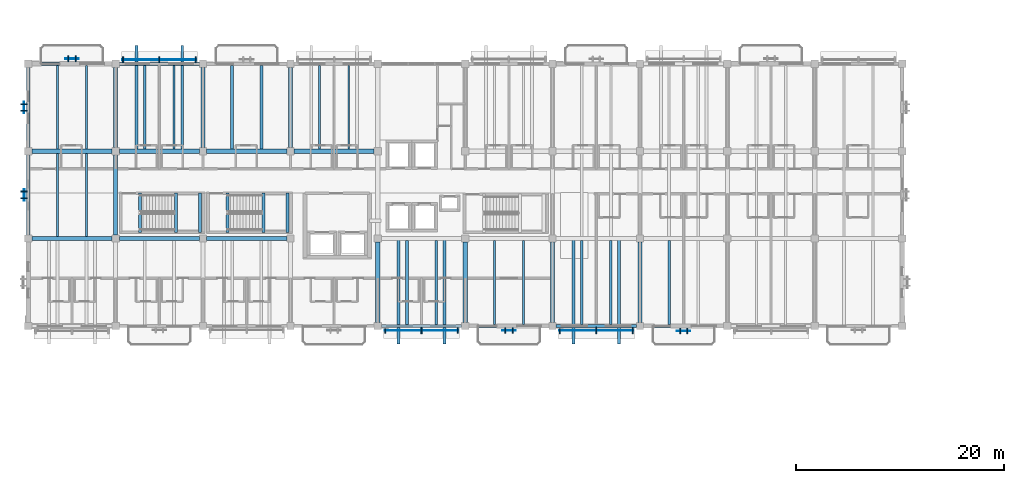
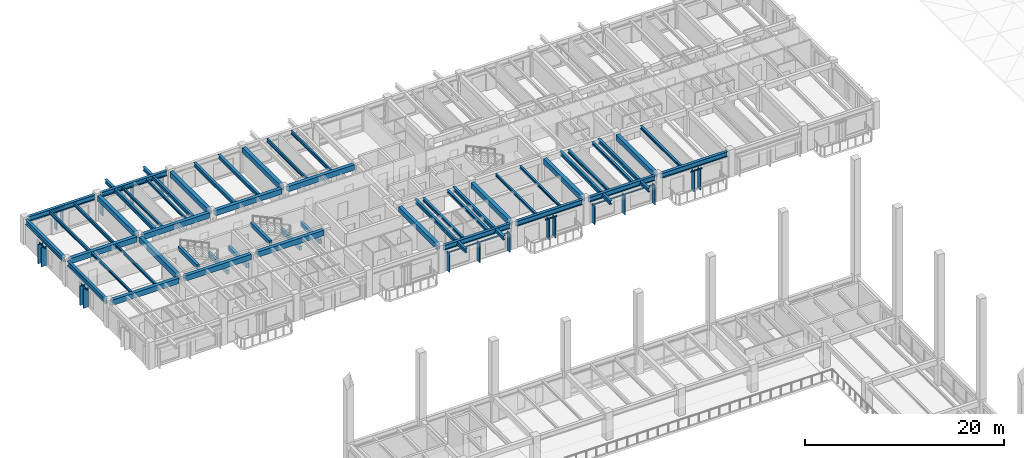
# One storey, part 12 of 64: 52 beams, 27 members, 8 elements without a shape of their own.
"""IFC4 building model written with IfcOpenShell, lengths in metres."""

from ifc_helpers import new_model, si_unit, direction, frame, origin, origin_2d, place, context, subcontext, project, spatial, rectangle, i_section, extrude, material, material_profile, profile_set, type_object, element, aggregate, save


model = new_model("IFC4")

# Units and contexts
model_context = context("Model", 3, precision=1e-05, world=origin(), true_north=direction((0.0, 1.0)))
body_context = subcontext(model_context, "Body", "Model", "MODEL_VIEW")
ifc_project = project(units=[si_unit("LENGTHUNIT", "METRE"), si_unit("AREAUNIT", "SQUARE_METRE"), si_unit("VOLUMEUNIT", "CUBIC_METRE"), si_unit("PLANEANGLEUNIT", "RADIAN"), si_unit("MASSUNIT", "GRAM", prefix="KILO")], contexts=[model_context])

# Site, building, storey
site_placement = place(None, origin())
site = spatial("IfcSite", under=ifc_project, at=site_placement, CompositionType="ELEMENT")
building_placement = place(site_placement, origin())
building = spatial("IfcBuilding", under=site, at=building_placement, Name="Cumbredor Promenade Congress Hotel", CompositionType="ELEMENT")
storey_placement = place(building_placement, frame((0.0, 0.0, 18.47998046875)))
storey = spatial("IfcBuildingStorey", under=building, at=storey_placement, Name="L05", CompositionType="ELEMENT", Elevation=18.47998046875)

# Beams
ifc_material_1 = material(Name="Concrete C40/50", Category="concrete")
ifc_material_profile_1 = material_profile(ifc_material_1, rectangle(XDim=0.39990234375, YDim=0.64990234375, at=origin_2d()), Name="RC BEAM 400x650")
ifc_profile_set_1 = profile_set([ifc_material_profile_1], Name="Concrete C40/50")
beam_type_1 = type_object("IfcBeamType", Name="BM-RC-400x650", PredefinedType="BEAM", material=ifc_profile_set_1)
for number, where, z_axis, x_axis, name in (
    (1, (0.35009765625, 100.800048828125, 2.794921875), (1.0, 0.0, 0.0), (0.0, 1.0, 0.0), "L06 X-Grid Beam 003"),
    (2, (0.35009765625, 109.199951171875, 2.794921875), (1.0, 0.0, 0.0), (0.0, 1.0, 0.0), "L06 X-Grid Beam 005"),
    (3, (8.75, 100.800048828125, 2.794921875), (1.0, 0.0, 0.0), (0.0, 1.0, 0.0), "L06 X-Grid Beam 025"),
):
    element("IfcBeam", number, at=place(storey_placement, frame(where, z_axis=z_axis, x_axis=x_axis)), inside=storey, type_object=beam_type_1, Name=name, PredefinedType="BEAM", context=body_context, shape_type="SweptSolid", body=[
        extrude(rectangle(XDim=0.39990234375, YDim=0.64990234375, at=origin_2d()), origin(), (0.0, 0.0, 1.0), 7.699951171875),
    ])
beam_1_placement = place(storey_placement, frame((8.39990234375, 101.14990234375, 2.794921875), z_axis=(0.0, 1.0, 0.0), x_axis=(-1.0, 0.0, 0.0)))
element("IfcBeam", 4, at=beam_1_placement, inside=storey, type_object=beam_type_1, Name="L06 Y-Grid Beam 026", PredefinedType="BEAM", context=body_context, shape_type="SweptSolid", body=[
    extrude(rectangle(XDim=0.39990234375, YDim=0.64990234375, at=origin_2d()), origin(), (0.0, 0.0, 1.0), 7.7001953125),
])
for number, where, z_axis, x_axis, name in (
    (5, (8.75, 109.199951171875, 2.794921875), (1.0, 0.0, 0.0), (0.0, 1.0, 0.0), "L06 X-Grid Beam 027"),
    (6, (8.39990234375, 109.550048828125, 2.794921875), (0.0, 1.0, 0.0), (-1.0, 0.0, 0.0), "L06 Y-Grid Beam 028"),
):
    element("IfcBeam", number, at=place(storey_placement, frame(where, z_axis=z_axis, x_axis=x_axis)), inside=storey, type_object=beam_type_1, Name=name, PredefinedType="BEAM", context=body_context, shape_type="SweptSolid", body=[
        extrude(rectangle(XDim=0.39990234375, YDim=0.64990234375, at=origin_2d()), origin(), (0.0, 0.0, 1.0), 7.699951171875),
    ])
for number, where, z_axis, x_axis, name in (
    (7, (17.14990234375, 100.800048828125, 2.794921875), (1.0, 0.0, 0.0), (0.0, 1.0, 0.0), "L06 X-Grid Beam 043"),
    (8, (17.14990234375, 109.199951171875, 2.794921875), (1.0, 0.0, 0.0), (0.0, 1.0, 0.0), "L06 X-Grid Beam 044"),
):
    element("IfcBeam", number, at=place(storey_placement, frame(where, z_axis=z_axis, x_axis=x_axis)), inside=storey, type_object=beam_type_1, Name=name, PredefinedType="BEAM", context=body_context, shape_type="SweptSolid", body=[
        extrude(rectangle(XDim=0.39990234375, YDim=0.64990234375, at=origin_2d()), origin(), (0.0, 0.0, 1.0), 7.7001953125),
    ])
for number, where, z_axis, x_axis, name in (
    (9, (16.800048828125, 109.550048828125, 2.794921875), (0.0, 1.0, 0.0), (-1.0, 0.0, 0.0), "L06 Y-Grid Beam 045"),
    (10, (25.550048828125, 109.199951171875, 2.794921875), (1.0, 0.0, 0.0), (0.0, 1.0, 0.0), "L06 X-Grid Beam 054"),
    (11, (25.199951171875, 109.550048828125, 2.794921875), (0.0, 1.0, 0.0), (-1.0, 0.0, 0.0), "L06 Y-Grid Beam 055"),
    (12, (33.60009765625, 92.75, 2.794921875), (0.0, 1.0, 0.0), (-1.0, 0.0, 0.0), "L06 Y-Grid Beam 063"),
    (13, (42.0, 92.75, 2.794921875), (0.0, 1.0, 0.0), (-1.0, 0.0, 0.0), "L06 Y-Grid Beam 074"),
    (14, (50.39990234375, 92.75, 2.794921875), (0.0, 1.0, 0.0), (-1.0, 0.0, 0.0), "L06 Y-Grid Beam 085"),
    (15, (58.800048828125, 92.75, 2.794921875), (0.0, 1.0, 0.0), (-1.0, 0.0, 0.0), "L06 Y-Grid Beam 107"),
):
    element("IfcBeam", number, at=place(storey_placement, frame(where, z_axis=z_axis, x_axis=x_axis)), inside=storey, type_object=beam_type_1, Name=name, PredefinedType="BEAM", context=body_context, shape_type="SweptSolid", body=[
        extrude(rectangle(XDim=0.39990234375, YDim=0.64990234375, at=origin_2d()), origin(), (0.0, 0.0, 1.0), 7.699951171875),
    ])
ifc_material_2 = material(Name="Steel ASTM A992 Grade 50", Category="steel")
ifc_material_profile_2 = material_profile(ifc_material_2, i_section(OverallWidth=0.323974609375, OverallDepth=0.611083984375, WebThickness=0.0126953125, FlangeThickness=0.01904296875, at=origin_2d()), Name="W24X104")
ifc_profile_set_2 = profile_set([ifc_material_profile_2], Name="Steel ASTM A992 Grade 50")
beam_type_2 = type_object("IfcBeamType", Name="BM-W24X104", PredefinedType="BEAM", material=ifc_profile_set_2)
for number, where, z_axis, x_axis, name in (
    (16, (0.35009765625, 117.60009765625, 2.814453125), (1.0, 0.0, 0.0), (0.0, 1.0, 0.0), "L06 X-Grid Beam 007"),
    (17, (8.75, 117.60009765625, 2.814453125), (1.0, 0.0, 0.0), (0.0, 1.0, 0.0), "L06 X-Grid Beam 029"),
    (18, (33.949951171875, 92.39990234375, 2.814453125), (1.0, 0.0, 0.0), (0.0, 1.0, 0.0), "L06 X-Grid Beam 062"),
    (19, (42.35009765625, 92.39990234375, 2.814453125), (1.0, 0.0, 0.0), (0.0, 1.0, 0.0), "L06 X-Grid Beam 073"),
    (20, (50.75, 92.39990234375, 2.814453125), (1.0, 0.0, 0.0), (0.0, 1.0, 0.0), "L06 X-Grid Beam 084"),
):
    element("IfcBeam", number, at=place(storey_placement, frame(where, z_axis=z_axis, x_axis=x_axis)), inside=storey, type_object=beam_type_2, Name=name, PredefinedType="BEAM", context=body_context, shape_type="SweptSolid", body=[
        extrude(i_section(OverallWidth=0.323974609375, OverallDepth=0.611083984375, WebThickness=0.0126953125, FlangeThickness=0.01904296875, at=origin_2d()), origin(), (0.0, 0.0, 1.0), 7.699951171875),
    ])
beam_2_placement = place(storey_placement, frame((59.14990234375, 92.39990234375, 2.814453125), z_axis=(1.0, 0.0, 0.0), x_axis=(0.0, 1.0, 0.0)))
element("IfcBeam", 21, at=beam_2_placement, inside=storey, type_object=beam_type_2, Name="L06 X-Grid Beam 106", PredefinedType="BEAM", context=body_context, shape_type="SweptSolid", body=[
    extrude(i_section(OverallWidth=0.323974609375, OverallDepth=0.611083984375, WebThickness=0.0126953125, FlangeThickness=0.01904296875, at=origin_2d()), origin(), (0.0, 0.0, 1.0), 7.7001953125),
])

# Curtain wall, member
ifc_material_3 = material(Name="Thermally broken anodized aluminium and low-E glass", Category="aluminium")
curtain_wall_type = type_object("IfcCurtainWallType", Name="Solar Brise-Soleil Screen Assembly CW-07", PredefinedType="NOTDEFINED", material=ifc_material_3)
curtain_wall_1_placement = place(storey_placement, origin())
curtain_wall_1 = element("IfcCurtainWall", 22, at=curtain_wall_1_placement, inside=storey, type_object=curtain_wall_type, Name="L05 Hospitality Brise-Soleil Screen 080", PredefinedType="NOTDEFINED")
ifc_material_4 = material(Name="Thermally broken anodized aluminium", Category="aluminium")
ifc_material_profile_3 = material_profile(ifc_material_4, rectangle(XDim=0.06494140625, YDim=0.1298828125, at=origin_2d()), Name="ALU TRANSOM 65x130")
ifc_profile_set_3 = profile_set([ifc_material_profile_3], Name="Thermally broken anodized aluminium")
member_type_1 = type_object("IfcMemberType", Name="Curtain Wall Transom TR-01", PredefinedType="USERDEFINED", material=ifc_profile_set_3)
member_1_placement = place(storey_placement, frame((34.2509765625, 91.9775390625, 2.31396484375), z_axis=(1.0, 0.0, 0.0), x_axis=(0.0, 1.0, 0.0)))
member_1 = element("IfcMember", 23, at=member_1_placement, type_object=member_type_1, Name="L05 Brise-Soleil Screen Transom 080", ObjectType="TRANSOM", PredefinedType="USERDEFINED", context=body_context, shape_type="SweptSolid", body=[
    extrude(rectangle(XDim=0.06494140625, YDim=0.1298828125, at=origin_2d()), origin(), (0.0, 0.0, 1.0), 7.09814453125),
])

curtain_wall_2_placement = place(storey_placement, origin())
curtain_wall_2 = element("IfcCurtainWall", 24, at=curtain_wall_2_placement, inside=storey, type_object=curtain_wall_type, Name="L05 Veranda Solar Brise-Soleil Screen 862", PredefinedType="NOTDEFINED")
member_2_placement = place(storey_placement, frame((45.550048828125, 91.965087890625, 2.4140625), z_axis=(1.0, 0.0, 0.0), x_axis=(0.0, 1.0, 0.0)))
member_2 = element("IfcMember", 25, at=member_2_placement, type_object=member_type_1, Name="L05 Brise-Soleil Header Tie 0864", ObjectType="TRANSOM", PredefinedType="USERDEFINED", context=body_context, shape_type="SweptSolid", body=[
    extrude(rectangle(XDim=0.06494140625, YDim=0.1298828125, at=origin_2d()), origin(), (0.0, 0.0, 1.0), 1.300048828125),
])

curtain_wall_3_placement = place(storey_placement, origin())
curtain_wall_3 = element("IfcCurtainWall", 26, at=curtain_wall_3_placement, inside=storey, type_object=curtain_wall_type, Name="L05 Hospitality Brise-Soleil Screen 081", PredefinedType="NOTDEFINED")
member_3_placement = place(storey_placement, frame((51.051025390625, 91.949951171875, 2.31396484375), z_axis=(1.0, 0.0, 0.0), x_axis=(0.0, 1.0, 0.0)))
member_3 = element("IfcMember", 27, at=member_3_placement, type_object=member_type_1, Name="L05 Brise-Soleil Screen Transom 081", ObjectType="TRANSOM", PredefinedType="USERDEFINED", context=body_context, shape_type="SweptSolid", body=[
    extrude(rectangle(XDim=0.06494140625, YDim=0.1298828125, at=origin_2d()), origin(), (0.0, 0.0, 1.0), 7.097900390625),
])

curtain_wall_4_placement = place(storey_placement, origin())
curtain_wall_4 = element("IfcCurtainWall", 28, at=curtain_wall_4_placement, inside=storey, type_object=curtain_wall_type, Name="L05 Veranda Solar Brise-Soleil Screen 868", PredefinedType="NOTDEFINED")
member_4_placement = place(storey_placement, frame((62.35009765625, 91.927490234375, 2.4140625), z_axis=(1.0, 0.0, 0.0), x_axis=(0.0, 1.0, 0.0)))
member_4 = element("IfcMember", 29, at=member_4_placement, type_object=member_type_1, Name="L05 Brise-Soleil Header Tie 0870", ObjectType="TRANSOM", PredefinedType="USERDEFINED", context=body_context, shape_type="SweptSolid", body=[
    extrude(rectangle(XDim=0.06494140625, YDim=0.1298828125, at=origin_2d()), origin(), (0.0, 0.0, 1.0), 1.2998046875),
])

curtain_wall_5_placement = place(storey_placement, origin())
curtain_wall_5 = element("IfcCurtainWall", 30, at=curtain_wall_5_placement, inside=storey, type_object=curtain_wall_type, Name="L05 Veranda Solar Brise-Soleil Screen 877", PredefinedType="NOTDEFINED")
member_5_placement = place(storey_placement, frame((3.550048828125, 118.0849609375, 2.4140625), z_axis=(1.0, 0.0, 0.0), x_axis=(0.0, 1.0, 0.0)))
member_5 = element("IfcMember", 31, at=member_5_placement, type_object=member_type_1, Name="L05 Brise-Soleil Header Tie 0879", ObjectType="TRANSOM", PredefinedType="USERDEFINED", context=body_context, shape_type="SweptSolid", body=[
    extrude(rectangle(XDim=0.06494140625, YDim=0.1298828125, at=origin_2d()), origin(), (0.0, 0.0, 1.0), 1.300048828125),
])

curtain_wall_6_placement = place(storey_placement, origin())
curtain_wall_6 = element("IfcCurtainWall", 32, at=curtain_wall_6_placement, inside=storey, type_object=curtain_wall_type, Name="L05 Hospitality Brise-Soleil Screen 083", PredefinedType="NOTDEFINED")
member_6_placement = place(storey_placement, frame((9.051025390625, 117.989990234375, 2.31396484375), z_axis=(1.0, 0.0, 0.0), x_axis=(0.0, 1.0, 0.0)))
member_6 = element("IfcMember", 33, at=member_6_placement, type_object=member_type_1, Name="L05 Brise-Soleil Screen Transom 083", ObjectType="TRANSOM", PredefinedType="USERDEFINED", context=body_context, shape_type="SweptSolid", body=[
    extrude(rectangle(XDim=0.06494140625, YDim=0.1298828125, at=origin_2d()), origin(), (0.0, 0.0, 1.0), 7.097900390625),
])

curtain_wall_7_placement = place(storey_placement, origin())
curtain_wall_7 = element("IfcCurtainWall", 34, at=curtain_wall_7_placement, inside=storey, type_object=curtain_wall_type, Name="L05 Pier Brise-Soleil Screen 0907", PredefinedType="NOTDEFINED")
member_7_placement = place(storey_placement, frame((-0.389892578125, 104.449951171875, 2.333984375), z_axis=(0.0, 1.0, 0.0), x_axis=(-1.0, 0.0, 0.0)))
member_7 = element("IfcMember", 35, at=member_7_placement, type_object=member_type_1, Name="L05 Pier Brise-Soleil Header 0909", ObjectType="TRANSOM", PredefinedType="USERDEFINED", context=body_context, shape_type="SweptSolid", body=[
    extrude(rectangle(XDim=0.06494140625, YDim=0.1298828125, at=origin_2d()), origin(), (0.0, 0.0, 1.0), 1.10009765625),
])

curtain_wall_8_placement = place(storey_placement, origin())
curtain_wall_8 = element("IfcCurtainWall", 36, at=curtain_wall_8_placement, inside=storey, type_object=curtain_wall_type, Name="L05 Pier Brise-Soleil Screen 0910", PredefinedType="NOTDEFINED")
member_8_placement = place(storey_placement, frame((-0.39990234375, 112.85009765625, 2.333984375), z_axis=(0.0, 1.0, 0.0), x_axis=(-1.0, 0.0, 0.0)))
member_8 = element("IfcMember", 37, at=member_8_placement, type_object=member_type_1, Name="L05 Pier Brise-Soleil Header 0912", ObjectType="TRANSOM", PredefinedType="USERDEFINED", context=body_context, shape_type="SweptSolid", body=[
    extrude(rectangle(XDim=0.06494140625, YDim=0.1298828125, at=origin_2d()), origin(), (0.0, 0.0, 1.0), 1.099853515625),
])

# Beams
ifc_material_profile_4 = material_profile(ifc_material_2, i_section(OverallWidth=0.202880859375, OverallDepth=0.302978515625, WebThickness=0.007568359375, FlangeThickness=0.01318359375, at=origin_2d()), Name="W12X40")
ifc_profile_set_4 = profile_set([ifc_material_profile_4], Name="Steel ASTM A992 Grade 50")
beam_type_3 = type_object("IfcBeamType", Name="JST-W12X40", PredefinedType="JOIST", material=ifc_profile_set_4)
for number, where, z_axis, x_axis, name in (
    (38, (2.800048828125, 101.0, 2.968505859375), (0.0, 1.0, 0.0), (-1.0, 0.0, 0.0), "L06 Secondary Floor Joist 0003"),
    (39, (5.60009765625, 101.0, 2.968505859375), (0.0, 1.0, 0.0), (-1.0, 0.0, 0.0), "L06 Secondary Floor Joist 0004"),
):
    element("IfcBeam", number, at=place(storey_placement, frame(where, z_axis=z_axis, x_axis=x_axis)), inside=storey, type_object=beam_type_3, Name=name, PredefinedType="JOIST", context=body_context, shape_type="SweptSolid", body=[
        extrude(i_section(OverallWidth=0.202880859375, OverallDepth=0.302978515625, WebThickness=0.007568359375, FlangeThickness=0.01318359375, at=origin_2d()), origin(), (0.0, 0.0, 1.0), 8.0),
    ])
for number, where, z_axis, x_axis, name in (
    (40, (11.199951171875, 109.39990234375, 2.968505859375), (0.0, 1.0, 0.0), (-1.0, 0.0, 0.0), "L06 Secondary Floor Joist 0023"),
    (41, (14.0, 109.39990234375, 2.968505859375), (0.0, 1.0, 0.0), (-1.0, 0.0, 0.0), "L06 Secondary Floor Joist 0024"),
    (42, (44.800048828125, 92.56201171875, 2.968505859375), (0.0, 1.0, 0.0), (-1.0, 0.0, 0.0), "L06 Secondary Floor Joist 0043"),
    (43, (47.60009765625, 92.56201171875, 2.968505859375), (0.0, 1.0, 0.0), (-1.0, 0.0, 0.0), "L06 Secondary Floor Joist 0044"),
):
    element("IfcBeam", number, at=place(storey_placement, frame(where, z_axis=z_axis, x_axis=x_axis)), inside=storey, type_object=beam_type_3, Name=name, PredefinedType="JOIST", context=body_context, shape_type="SweptSolid", body=[
        extrude(i_section(OverallWidth=0.202880859375, OverallDepth=0.302978515625, WebThickness=0.007568359375, FlangeThickness=0.01318359375, at=origin_2d()), origin(), (0.0, 0.0, 1.0), 8.0380859375),
    ])
ifc_material_profile_5 = material_profile(ifc_material_2, i_section(OverallWidth=0.2548828125, OverallDepth=0.35693359375, WebThickness=0.010498046875, FlangeThickness=0.018310546875, at=origin_2d()), Name="W14X68")
ifc_profile_set_5 = profile_set([ifc_material_profile_5], Name="Steel ASTM A992 Grade 50")
beam_type_4 = type_object("IfcBeamType", Name="JST-W14X68", PredefinedType="JOIST", material=ifc_profile_set_5)
for number, where, z_axis, x_axis, name in (
    (44, (36.39990234375, 92.56201171875, 2.94140625), (0.0, 1.0, 0.0), (-1.0, 0.0, 0.0), "L06 Secondary Floor Joist 0039"),
    (45, (39.199951171875, 92.56201171875, 2.94140625), (0.0, 1.0, 0.0), (-1.0, 0.0, 0.0), "L06 Secondary Floor Joist 0040"),
    (46, (53.199951171875, 92.56201171875, 2.94140625), (0.0, 1.0, 0.0), (-1.0, 0.0, 0.0), "L06 Secondary Floor Joist 0049"),
    (47, (56.0, 92.56201171875, 2.94140625), (0.0, 1.0, 0.0), (-1.0, 0.0, 0.0), "L06 Secondary Floor Joist 0050"),
    (48, (61.60009765625, 92.56201171875, 2.94140625), (0.0, 1.0, 0.0), (-1.0, 0.0, 0.0), "L06 Secondary Floor Joist 0069"),
):
    element("IfcBeam", number, at=place(storey_placement, frame(where, z_axis=z_axis, x_axis=x_axis)), inside=storey, type_object=beam_type_4, Name=name, PredefinedType="JOIST", context=body_context, shape_type="SweptSolid", body=[
        extrude(i_section(OverallWidth=0.2548828125, OverallDepth=0.35693359375, WebThickness=0.010498046875, FlangeThickness=0.018310546875, at=origin_2d()), origin(), (0.0, 0.0, 1.0), 8.0380859375),
    ])
ifc_material_profile_6 = material_profile(ifc_material_2, i_section(OverallWidth=0.180908203125, OverallDepth=0.4169921875, WebThickness=0.010986328125, FlangeThickness=0.018310546875, at=origin_2d()), Name="W16X57")
ifc_profile_set_6 = profile_set([ifc_material_profile_6], Name="Steel ASTM A992 Grade 50")
beam_type_5 = type_object("IfcBeamType", Name="JST-W16X57", PredefinedType="JOIST", material=ifc_profile_set_6)
for number, where, z_axis, x_axis, name in (
    (49, (2.800048828125, 109.39990234375, 2.91162109375), (0.0, 1.0, 0.0), (-1.0, 0.0, 0.0), "L06 Secondary Floor Joist 0005"),
    (50, (5.60009765625, 109.39990234375, 2.91162109375), (0.0, 1.0, 0.0), (-1.0, 0.0, 0.0), "L06 Secondary Floor Joist 0006"),
    (51, (28.0, 109.39990234375, 2.91162109375), (0.0, 1.0, 0.0), (-1.0, 0.0, 0.0), "L06 Secondary Floor Joist 0035"),
    (52, (30.800048828125, 109.39990234375, 2.91162109375), (0.0, 1.0, 0.0), (-1.0, 0.0, 0.0), "L06 Secondary Floor Joist 0036"),
):
    element("IfcBeam", number, at=place(storey_placement, frame(where, z_axis=z_axis, x_axis=x_axis)), inside=storey, type_object=beam_type_5, Name=name, PredefinedType="JOIST", context=body_context, shape_type="SweptSolid", body=[
        extrude(i_section(OverallWidth=0.180908203125, OverallDepth=0.4169921875, WebThickness=0.010986328125, FlangeThickness=0.018310546875, at=origin_2d()), origin(), (0.0, 0.0, 1.0), 8.0380859375),
    ])
ifc_material_profile_7 = material_profile(ifc_material_2, i_section(OverallWidth=0.280029296875, OverallDepth=0.462890625, WebThickness=0.0107421875, FlangeThickness=0.017333984375, at=origin_2d()), Name="W18X76")
ifc_profile_set_7 = profile_set([ifc_material_profile_7], Name="Steel ASTM A992 Grade 50")
beam_type_6 = type_object("IfcBeamType", Name="JST-W18X76", PredefinedType="JOIST", material=ifc_profile_set_7)
for number, where, z_axis, x_axis, name in (
    (53, (10.39990234375, 109.199951171875, 2.888427734375), (0.0, 1.0, 0.0), (-1.0, 0.0, 0.0), "L06 Balcony Back-Spanned Outrigger Beam 034.1"),
    (54, (14.800048828125, 109.199951171875, 2.888427734375), (0.0, 1.0, 0.0), (-1.0, 0.0, 0.0), "L06 Balcony Back-Spanned Outrigger Beam 034.2"),
    (55, (35.60009765625, 90.64990234375, 2.888427734375), (0.0, 1.0, 0.0), (-1.0, 0.0, 0.0), "L06 Balcony Back-Spanned Outrigger Beam 040.1"),
    (56, (40.0, 90.64990234375, 2.888427734375), (0.0, 1.0, 0.0), (-1.0, 0.0, 0.0), "L06 Balcony Back-Spanned Outrigger Beam 040.2"),
    (57, (52.39990234375, 90.64990234375, 2.888427734375), (0.0, 1.0, 0.0), (-1.0, 0.0, 0.0), "L06 Balcony Back-Spanned Outrigger Beam 041.1"),
    (58, (56.800048828125, 90.64990234375, 2.888427734375), (0.0, 1.0, 0.0), (-1.0, 0.0, 0.0), "L06 Balcony Back-Spanned Outrigger Beam 041.2"),
):
    element("IfcBeam", number, at=place(storey_placement, frame(where, z_axis=z_axis, x_axis=x_axis)), inside=storey, type_object=beam_type_6, Name=name, PredefinedType="JOIST", context=body_context, shape_type="SweptSolid", body=[
        extrude(i_section(OverallWidth=0.280029296875, OverallDepth=0.462890625, WebThickness=0.0107421875, FlangeThickness=0.017333984375, at=origin_2d()), origin(), (0.0, 0.0, 1.0), 10.150146484375),
    ])
for number, where, z_axis, x_axis, name in (
    (59, (19.60009765625, 109.39990234375, 2.888427734375), (0.0, 1.0, 0.0), (-1.0, 0.0, 0.0), "L06 Secondary Floor Joist 0031"),
    (60, (22.39990234375, 109.39990234375, 2.888427734375), (0.0, 1.0, 0.0), (-1.0, 0.0, 0.0), "L06 Secondary Floor Joist 0032"),
):
    element("IfcBeam", number, at=place(storey_placement, frame(where, z_axis=z_axis, x_axis=x_axis)), inside=storey, type_object=beam_type_6, Name=name, PredefinedType="JOIST", context=body_context, shape_type="SweptSolid", body=[
        extrude(i_section(OverallWidth=0.280029296875, OverallDepth=0.462890625, WebThickness=0.0107421875, FlangeThickness=0.017333984375, at=origin_2d()), origin(), (0.0, 0.0, 1.0), 8.0380859375),
    ])
ifc_material_profile_8 = material_profile(ifc_material_1, rectangle(XDim=0.300048828125, YDim=0.5, at=origin_2d()), Name="RC LINTEL 300x500")
ifc_profile_set_8 = profile_set([ifc_material_profile_8], Name="Concrete C40/50")
beam_type_7 = type_object("IfcBeamType", Name="LN-RC-300x500", PredefinedType="LINTEL", material=ifc_profile_set_8)
for number, where, z_axis, x_axis, name in (
    (61, (16.5, 101.3701171875, 1.22998046875), (0.0, 1.0, 0.0), (-1.0, 0.0, 0.0), "L05 Stair ST-01 Landing Ledger Beam E"),
    (62, (14.199951171875, 101.3701171875, 1.22998046875), (0.0, 1.0, 0.0), (-1.0, 0.0, 0.0), "L05 Stair ST-01 Landing Ledger Beam W"),
    (63, (10.75, 101.3701171875, 3.110107421875), (0.0, 1.0, 0.0), (-1.0, 0.0, 0.0), "L06 Stair ST-01 Well Header Trimmer Beam"),
    (64, (24.89990234375, 101.3701171875, 1.22998046875), (0.0, 1.0, 0.0), (-1.0, 0.0, 0.0), "L05 Stair ST-02 Landing Ledger Beam E"),
    (65, (22.60009765625, 101.3701171875, 1.22998046875), (0.0, 1.0, 0.0), (-1.0, 0.0, 0.0), "L05 Stair ST-02 Landing Ledger Beam W"),
    (66, (19.14990234375, 101.3701171875, 3.110107421875), (0.0, 1.0, 0.0), (-1.0, 0.0, 0.0), "L06 Stair ST-02 Well Header Trimmer Beam"),
):
    element("IfcBeam", number, at=place(storey_placement, frame(where, z_axis=z_axis, x_axis=x_axis)), inside=storey, type_object=beam_type_7, Name=name, PredefinedType="LINTEL", context=body_context, shape_type="SweptSolid", body=[
        extrude(rectangle(XDim=0.300048828125, YDim=0.5, at=origin_2d()), origin(), (0.0, 0.0, 1.0), 3.829833984375),
    ])
ifc_material_profile_9 = material_profile(ifc_material_2, i_section(OverallWidth=0.323974609375, OverallDepth=0.611083984375, WebThickness=0.0126953125, FlangeThickness=0.01904296875, at=origin_2d()), Name="W24X104")
ifc_profile_set_9 = profile_set([ifc_material_profile_9], Name="Steel ASTM A992 Grade 50")
beam_type_8 = type_object("IfcBeamType", Name="SP-W24X104", PredefinedType="SPANDREL", material=ifc_profile_set_9)
beam_3_placement = place(storey_placement, frame((0.0, 101.14990234375, 2.814453125), z_axis=(0.0, 1.0, 0.0), x_axis=(-1.0, 0.0, 0.0)))
element("IfcBeam", 67, at=beam_3_placement, inside=storey, type_object=beam_type_8, Name="L06 Y-Grid Beam 004", PredefinedType="SPANDREL", context=body_context, shape_type="SweptSolid", body=[
    extrude(i_section(OverallWidth=0.323974609375, OverallDepth=0.611083984375, WebThickness=0.0126953125, FlangeThickness=0.01904296875, at=origin_2d()), origin(), (0.0, 0.0, 1.0), 7.7001953125),
])
beam_4_placement = place(storey_placement, frame((0.0, 109.550048828125, 2.814453125), z_axis=(0.0, 1.0, 0.0), x_axis=(-1.0, 0.0, 0.0)))
element("IfcBeam", 68, at=beam_4_placement, inside=storey, type_object=beam_type_8, Name="L06 Y-Grid Beam 006", PredefinedType="SPANDREL", context=body_context, shape_type="SweptSolid", body=[
    extrude(i_section(OverallWidth=0.323974609375, OverallDepth=0.611083984375, WebThickness=0.0126953125, FlangeThickness=0.01904296875, at=origin_2d()), origin(), (0.0, 0.0, 1.0), 7.699951171875),
])

# Member
ifc_material_profile_10 = material_profile(ifc_material_4, rectangle(XDim=0.110107421875, YDim=0.6201171875, at=origin_2d()), Name="ARCH FIN 110x620")
ifc_profile_set_10 = profile_set([ifc_material_profile_10], Name="Thermally broken anodized aluminium")
member_type_2 = type_object("IfcMemberType", Name="Vertical Bronze Brise-Soleil Fin BSF-02 110x620", PredefinedType="USERDEFINED", material=ifc_profile_set_10)
member_9_placement = place(storey_placement, frame((37.800048828125, 91.9775390625, 0.02001953125), z_axis=(0.0, 0.0, 1.0), x_axis=(1.0, 0.0, 0.0)))
member_9 = element("IfcMember", 69, at=member_9_placement, type_object=member_type_2, Name="L05 Vertical Brise-Soleil Fin 0860", ObjectType="SOLAR FIN", PredefinedType="USERDEFINED", context=body_context, shape_type="SweptSolid", body=[
    extrude(rectangle(XDim=0.110107421875, YDim=0.6201171875, at=origin_2d()), origin(), (0.0, 0.0, 1.0), 2.35400390625),
])

member_10_placement = place(storey_placement, frame((54.60009765625, 91.949951171875, 0.02001953125), z_axis=(0.0, 0.0, 1.0), x_axis=(1.0, 0.0, 0.0)))
member_10 = element("IfcMember", 70, at=member_10_placement, type_object=member_type_2, Name="L05 Vertical Brise-Soleil Fin 0866", ObjectType="SOLAR FIN", PredefinedType="USERDEFINED", context=body_context, shape_type="SweptSolid", body=[
    extrude(rectangle(XDim=0.110107421875, YDim=0.6201171875, at=origin_2d()), origin(), (0.0, 0.0, 1.0), 2.35400390625),
])

member_11_placement = place(storey_placement, frame((9.10107421875, 117.989990234375, 0.02001953125), z_axis=(0.0, 0.0, 1.0), x_axis=(1.0, 0.0, 0.0)))
member_11 = element("IfcMember", 71, at=member_11_placement, type_object=member_type_2, Name="L05 Vertical Brise-Soleil Fin 0880", ObjectType="SOLAR FIN", PredefinedType="USERDEFINED", context=body_context, shape_type="SweptSolid", body=[
    extrude(rectangle(XDim=0.110107421875, YDim=0.6201171875, at=origin_2d()), origin(), (0.0, 0.0, 1.0), 2.35400390625),
])

member_12_placement = place(storey_placement, frame((16.09912109375, 117.989990234375, 0.02001953125), z_axis=(0.0, 0.0, 1.0), x_axis=(1.0, 0.0, 0.0)))
member_12 = element("IfcMember", 72, at=member_12_placement, type_object=member_type_2, Name="L05 Vertical Brise-Soleil Fin 0882", ObjectType="SOLAR FIN", PredefinedType="USERDEFINED", context=body_context, shape_type="SweptSolid", body=[
    extrude(rectangle(XDim=0.110107421875, YDim=0.6201171875, at=origin_2d()), origin(), (0.0, 0.0, 1.0), 2.35400390625),
])

member_13_placement = place(storey_placement, frame((-0.389892578125, 104.679931640625, 0.02001953125), z_axis=(0.0, 0.0, 1.0), x_axis=(0.0, 1.0, 0.0)))
member_13 = element("IfcMember", 73, at=member_13_placement, type_object=member_type_2, Name="L05 Pier Brise-Soleil Fin 0908", ObjectType="SOLAR FIN", PredefinedType="USERDEFINED", context=body_context, shape_type="SweptSolid", body=[
    extrude(rectangle(XDim=0.110107421875, YDim=0.6201171875, at=origin_2d()), origin(), (0.0, 0.0, 1.0), 2.35400390625),
])

member_14_placement = place(storey_placement, frame((-0.389892578125, 105.320068359375, 0.02001953125), z_axis=(0.0, 0.0, 1.0), x_axis=(0.0, 1.0, 0.0)))
member_14 = element("IfcMember", 74, at=member_14_placement, type_object=member_type_2, Name="L05 Pier Brise-Soleil Fin 0909", ObjectType="SOLAR FIN", PredefinedType="USERDEFINED", context=body_context, shape_type="SweptSolid", body=[
    extrude(rectangle(XDim=0.110107421875, YDim=0.6201171875, at=origin_2d()), origin(), (0.0, 0.0, 1.0), 2.35400390625),
])

aggregate(curtain_wall_7, [member_13, member_14, member_7])

member_15_placement = place(storey_placement, frame((-0.39990234375, 113.080078125, 0.02001953125), z_axis=(0.0, 0.0, 1.0), x_axis=(0.0, 1.0, 0.0)))
member_15 = element("IfcMember", 75, at=member_15_placement, type_object=member_type_2, Name="L05 Pier Brise-Soleil Fin 0911", ObjectType="SOLAR FIN", PredefinedType="USERDEFINED", context=body_context, shape_type="SweptSolid", body=[
    extrude(rectangle(XDim=0.110107421875, YDim=0.6201171875, at=origin_2d()), origin(), (0.0, 0.0, 1.0), 2.35400390625),
])

member_16_placement = place(storey_placement, frame((-0.39990234375, 113.719970703125, 0.02001953125), z_axis=(0.0, 0.0, 1.0), x_axis=(0.0, 1.0, 0.0)))
member_16 = element("IfcMember", 76, at=member_16_placement, type_object=member_type_2, Name="L05 Pier Brise-Soleil Fin 0912", ObjectType="SOLAR FIN", PredefinedType="USERDEFINED", context=body_context, shape_type="SweptSolid", body=[
    extrude(rectangle(XDim=0.110107421875, YDim=0.6201171875, at=origin_2d()), origin(), (0.0, 0.0, 1.0), 2.35400390625),
])

aggregate(curtain_wall_8, [member_15, member_16, member_8])

ifc_material_5 = material(Name="Kiln-dried tropical hardwood", Category="wood")
ifc_material_profile_11 = material_profile(ifc_material_5, rectangle(XDim=0.090087890625, YDim=0.550048828125, at=origin_2d()), Name="ARCH FIN 90x550")
ifc_profile_set_11 = profile_set([ifc_material_profile_11], Name="Kiln-dried tropical hardwood")
member_type_3 = type_object("IfcMemberType", Name="Vertical Hardwood Brise-Soleil Fin BSF-01 90x550", PredefinedType="USERDEFINED", material=ifc_profile_set_11)
member_17_placement = place(storey_placement, frame((34.301025390625, 91.9775390625, 0.02001953125), z_axis=(0.0, 0.0, 1.0), x_axis=(1.0, 0.0, 0.0)))
member_17 = element("IfcMember", 77, at=member_17_placement, type_object=member_type_3, Name="L05 Vertical Brise-Soleil Fin 0859", ObjectType="SOLAR FIN", PredefinedType="USERDEFINED", context=body_context, shape_type="SweptSolid", body=[
    extrude(rectangle(XDim=0.090087890625, YDim=0.550048828125, at=origin_2d()), origin(), (0.0, 0.0, 1.0), 2.35400390625),
])

member_18_placement = place(storey_placement, frame((41.299072265625, 91.9775390625, 0.02001953125), z_axis=(0.0, 0.0, 1.0), x_axis=(1.0, 0.0, 0.0)))
member_18 = element("IfcMember", 78, at=member_18_placement, type_object=member_type_3, Name="L05 Vertical Brise-Soleil Fin 0861", ObjectType="SOLAR FIN", PredefinedType="USERDEFINED", context=body_context, shape_type="SweptSolid", body=[
    extrude(rectangle(XDim=0.090087890625, YDim=0.550048828125, at=origin_2d()), origin(), (0.0, 0.0, 1.0), 2.35400390625),
])

aggregate(curtain_wall_1, [member_1, member_17, member_9, member_18])

member_19_placement = place(storey_placement, frame((45.85009765625, 91.965087890625, -0.010009765625), z_axis=(0.0, 0.0, 1.0), x_axis=(1.0, 0.0, 0.0)))
member_19 = element("IfcMember", 79, at=member_19_placement, type_object=member_type_3, Name="L05 Vertical Hardwood Brise-Soleil Fin 0863", ObjectType="SOLAR FIN", PredefinedType="USERDEFINED", context=body_context, shape_type="SweptSolid", body=[
    extrude(rectangle(XDim=0.090087890625, YDim=0.550048828125, at=origin_2d()), origin(), (0.0, 0.0, 1.0), 2.484130859375),
])

member_20_placement = place(storey_placement, frame((46.550048828125, 91.965087890625, -0.010009765625), z_axis=(0.0, 0.0, 1.0), x_axis=(1.0, 0.0, 0.0)))
member_20 = element("IfcMember", 80, at=member_20_placement, type_object=member_type_3, Name="L05 Vertical Hardwood Brise-Soleil Fin 0864", ObjectType="SOLAR FIN", PredefinedType="USERDEFINED", context=body_context, shape_type="SweptSolid", body=[
    extrude(rectangle(XDim=0.090087890625, YDim=0.550048828125, at=origin_2d()), origin(), (0.0, 0.0, 1.0), 2.484130859375),
])

aggregate(curtain_wall_2, [member_19, member_20, member_2])

member_21_placement = place(storey_placement, frame((51.10107421875, 91.949951171875, 0.02001953125), z_axis=(0.0, 0.0, 1.0), x_axis=(1.0, 0.0, 0.0)))
member_21 = element("IfcMember", 81, at=member_21_placement, type_object=member_type_3, Name="L05 Vertical Brise-Soleil Fin 0865", ObjectType="SOLAR FIN", PredefinedType="USERDEFINED", context=body_context, shape_type="SweptSolid", body=[
    extrude(rectangle(XDim=0.090087890625, YDim=0.550048828125, at=origin_2d()), origin(), (0.0, 0.0, 1.0), 2.35400390625),
])

member_22_placement = place(storey_placement, frame((58.09912109375, 91.949951171875, 0.02001953125), z_axis=(0.0, 0.0, 1.0), x_axis=(1.0, 0.0, 0.0)))
member_22 = element("IfcMember", 82, at=member_22_placement, type_object=member_type_3, Name="L05 Vertical Brise-Soleil Fin 0867", ObjectType="SOLAR FIN", PredefinedType="USERDEFINED", context=body_context, shape_type="SweptSolid", body=[
    extrude(rectangle(XDim=0.090087890625, YDim=0.550048828125, at=origin_2d()), origin(), (0.0, 0.0, 1.0), 2.35400390625),
])

aggregate(curtain_wall_3, [member_3, member_21, member_10, member_22])

member_23_placement = place(storey_placement, frame((62.64990234375, 91.927490234375, -0.010009765625), z_axis=(0.0, 0.0, 1.0), x_axis=(1.0, 0.0, 0.0)))
member_23 = element("IfcMember", 83, at=member_23_placement, type_object=member_type_3, Name="L05 Vertical Hardwood Brise-Soleil Fin 0869", ObjectType="SOLAR FIN", PredefinedType="USERDEFINED", context=body_context, shape_type="SweptSolid", body=[
    extrude(rectangle(XDim=0.090087890625, YDim=0.550048828125, at=origin_2d()), origin(), (0.0, 0.0, 1.0), 2.484130859375),
])

member_24_placement = place(storey_placement, frame((63.35009765625, 91.927490234375, -0.010009765625), z_axis=(0.0, 0.0, 1.0), x_axis=(1.0, 0.0, 0.0)))
member_24 = element("IfcMember", 84, at=member_24_placement, type_object=member_type_3, Name="L05 Vertical Hardwood Brise-Soleil Fin 0870", ObjectType="SOLAR FIN", PredefinedType="USERDEFINED", context=body_context, shape_type="SweptSolid", body=[
    extrude(rectangle(XDim=0.090087890625, YDim=0.550048828125, at=origin_2d()), origin(), (0.0, 0.0, 1.0), 2.484130859375),
])

aggregate(curtain_wall_4, [member_23, member_24, member_4])

member_25_placement = place(storey_placement, frame((3.85009765625, 118.0849609375, -0.010009765625), z_axis=(0.0, 0.0, 1.0), x_axis=(1.0, 0.0, 0.0)))
member_25 = element("IfcMember", 85, at=member_25_placement, type_object=member_type_3, Name="L05 Vertical Hardwood Brise-Soleil Fin 0878", ObjectType="SOLAR FIN", PredefinedType="USERDEFINED", context=body_context, shape_type="SweptSolid", body=[
    extrude(rectangle(XDim=0.090087890625, YDim=0.550048828125, at=origin_2d()), origin(), (0.0, 0.0, 1.0), 2.484130859375),
])

member_26_placement = place(storey_placement, frame((4.550048828125, 118.0849609375, -0.010009765625), z_axis=(0.0, 0.0, 1.0), x_axis=(1.0, 0.0, 0.0)))
member_26 = element("IfcMember", 86, at=member_26_placement, type_object=member_type_3, Name="L05 Vertical Hardwood Brise-Soleil Fin 0879", ObjectType="SOLAR FIN", PredefinedType="USERDEFINED", context=body_context, shape_type="SweptSolid", body=[
    extrude(rectangle(XDim=0.090087890625, YDim=0.550048828125, at=origin_2d()), origin(), (0.0, 0.0, 1.0), 2.484130859375),
])

aggregate(curtain_wall_5, [member_25, member_26, member_5])

member_27_placement = place(storey_placement, frame((12.60009765625, 117.989990234375, 0.02001953125), z_axis=(0.0, 0.0, 1.0), x_axis=(1.0, 0.0, 0.0)))
member_27 = element("IfcMember", 87, at=member_27_placement, type_object=member_type_3, Name="L05 Vertical Brise-Soleil Fin 0881", ObjectType="SOLAR FIN", PredefinedType="USERDEFINED", context=body_context, shape_type="SweptSolid", body=[
    extrude(rectangle(XDim=0.090087890625, YDim=0.550048828125, at=origin_2d()), origin(), (0.0, 0.0, 1.0), 2.35400390625),
])

aggregate(curtain_wall_6, [member_6, member_11, member_27, member_12])

save(model, "model.ifc")
